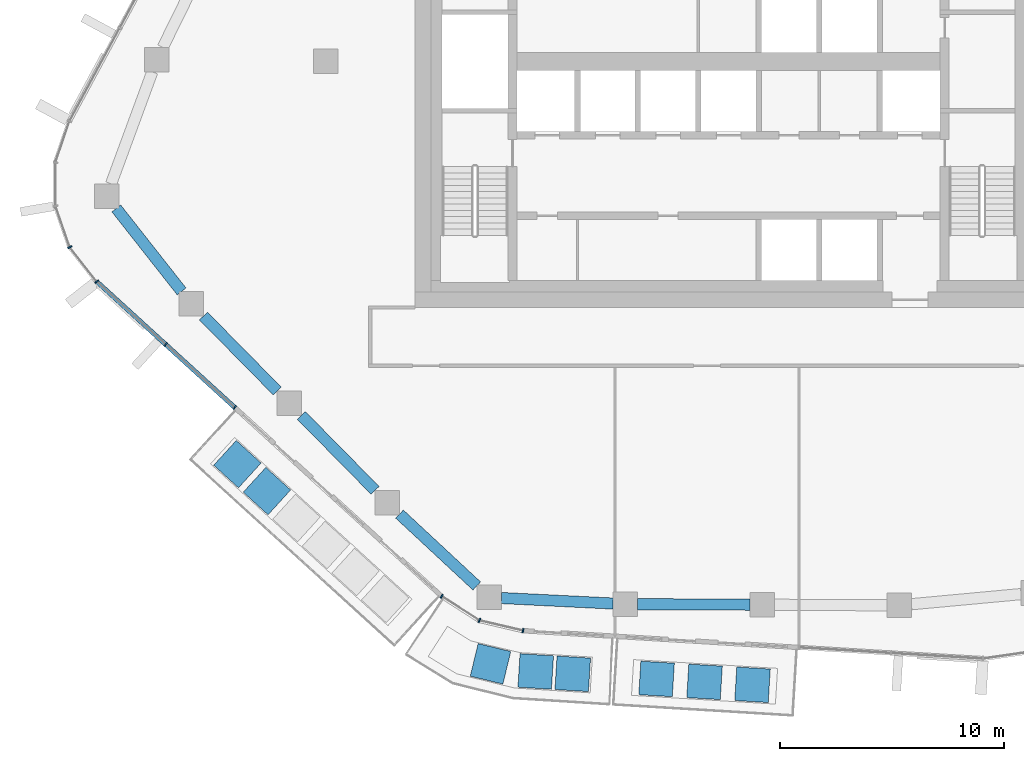
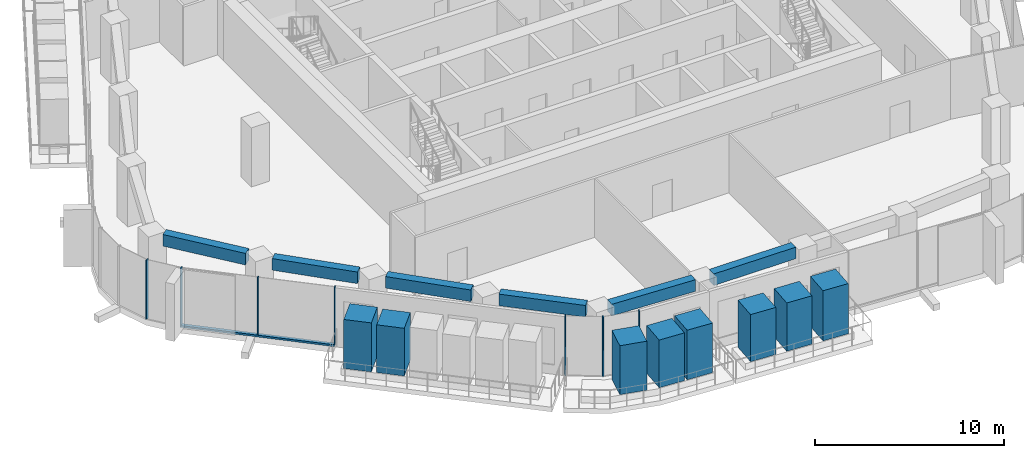
# One storey, part 2 of 20: 16 members, 6 beams, 3 elements without a shape of their own.
"""IFC4 building model written with IfcOpenShell, lengths in metres."""

from ifc_helpers import new_model, si_unit, direction, frame, origin, origin_2d, place, context, subcontext, project, spatial, rectangle, extrude, material, layer, layer_set, material_profile, profile_set, type_object, element, aggregate, save


model = new_model("IFC4")

# Units and contexts
model_context = context("Model", 3, precision=1e-05, world=origin(), true_north=direction((0.0, 1.0)))
body_context = subcontext(model_context, "Body", "Model", "MODEL_VIEW")
ifc_project = project(units=[si_unit("LENGTHUNIT", "METRE"), si_unit("AREAUNIT", "SQUARE_METRE"), si_unit("VOLUMEUNIT", "CUBIC_METRE"), si_unit("PLANEANGLEUNIT", "RADIAN"), si_unit("MASSUNIT", "GRAM", prefix="KILO")], contexts=[model_context])

# Site, building, storey
site_placement = place(None, origin())
site = spatial("IfcSite", under=ifc_project, at=site_placement, CompositionType="ELEMENT")
building_placement = place(site_placement, origin())
building = spatial("IfcBuilding", under=site, at=building_placement, Name="Dongbaek Canopy Tower", CompositionType="ELEMENT")
storey_placement = place(building_placement, frame((0.0, 0.0, 258.0)))
storey = spatial("IfcBuildingStorey", under=building, at=storey_placement, Name="L54", CompositionType="ELEMENT", Elevation=258.0)

# Curtain wall, members
ifc_material_1 = material(Name="Aluminium 6063-T6 pale anodised", Category="aluminium")
ifc_layer = layer(ifc_material_1, 0.199951171875)
ifc_layer_set = layer_set([ifc_layer], Name="CW-1 unitised tower curtain wall")
curtain_wall_type = type_object("IfcCurtainWallType", Name="CW-1 unitised tower curtain wall", PredefinedType="NOTDEFINED", material=ifc_layer_set)
curtain_wall_1_placement = place(storey_placement, origin())
curtain_wall_1 = element("IfcCurtainWall", 1, at=curtain_wall_1_placement, inside=storey, type_object=curtain_wall_type, Name="CW-1 curtain wall K3.1", PredefinedType="NOTDEFINED")
ifc_material_2 = material(Name="Aluminium 6063-T6 pale anodised", Category="aluminium")
ifc_material_profile_1 = material_profile(ifc_material_2, rectangle(XDim=0.199951171875, YDim=0.06005859375, at=origin_2d()), Name="CW-1 mullion 60 x 200")
ifc_profile_set_1 = profile_set([ifc_material_profile_1], Name="Aluminium 6063-T6 pale anodised")
member_type_1 = type_object("IfcMemberType", Name="CW-1 mullion 60 x 200", PredefinedType="MULLION", material=ifc_profile_set_1)
member_1_placement = place(storey_placement, frame((-29.42822265625, -8.302978515625, 0.0), z_axis=(0.0, 0.0, 1.0), x_axis=(-0.877719725714, -0.479174376498, 0.0)))
member_1 = element("IfcMember", 2, at=member_1_placement, type_object=member_type_1, Name="CW-1 mullion K3.1.4", PredefinedType="MULLION", context=body_context, shape_type="SweptSolid", body=[
    extrude(rectangle(XDim=0.199951171875, YDim=0.06005859375, at=origin_2d()), origin(), (0.0, 0.0, 1.0), 3.820068359375),
])
member_2_placement = place(storey_placement, frame((-28.220703125, -9.84130859375, 0.0), z_axis=(0.0, 0.0, 1.0), x_axis=(-0.786588619061, -0.61747740393, 0.0)))
member_2 = element("IfcMember", 3, at=member_2_placement, type_object=member_type_1, Name="CW-1 mullion K3.1.5", PredefinedType="MULLION", context=body_context, shape_type="SweptSolid", body=[
    extrude(rectangle(XDim=0.199951171875, YDim=0.06005859375, at=origin_2d()), origin(), (0.0, 0.0, 1.0), 3.820068359375),
])
aggregate(curtain_wall_1, [member_1, member_2])

curtain_wall_2_placement = place(storey_placement, origin())
curtain_wall_2 = element("IfcCurtainWall", 4, at=curtain_wall_2_placement, inside=storey, type_object=curtain_wall_type, Name="CW-1 curtain wall F3.1", PredefinedType="NOTDEFINED")
member_3_placement = place(storey_placement, frame((-25.142822265625, -12.648681640625, 0.1201171875), z_axis=(0.0, 0.0, 1.0), x_axis=(-0.673879336739, -0.738841417028, 0.0)))
member_3 = element("IfcMember", 5, at=member_3_placement, type_object=member_type_1, Name="CW-1 mullion F3.1.2", PredefinedType="MULLION", context=body_context, shape_type="SweptSolid", body=[
    extrude(rectangle(XDim=0.199951171875, YDim=0.06005859375, at=origin_2d()), origin(), (0.0, 0.0, 1.0), 3.699951171875),
])
member_4_placement = place(storey_placement, frame((-22.058837890625, -15.46142578125, 0.1201171875), z_axis=(0.0, 0.0, 1.0), x_axis=(-0.673879336739, -0.738841417028, 0.0)))
member_4 = element("IfcMember", 6, at=member_4_placement, type_object=member_type_1, Name="CW-1 mullion F3.1.3", PredefinedType="MULLION", context=body_context, shape_type="SweptSolid", body=[
    extrude(rectangle(XDim=0.199951171875, YDim=0.06005859375, at=origin_2d()), origin(), (0.0, 0.0, 1.0), 3.699951171875),
])

curtain_wall_3_placement = place(storey_placement, origin())
curtain_wall_3 = element("IfcCurtainWall", 7, at=curtain_wall_3_placement, inside=storey, type_object=curtain_wall_type, Name="CW-1 curtain wall K4.1", PredefinedType="NOTDEFINED")
member_5_placement = place(storey_placement, frame((-12.81298828125, -23.894287109375, 0.0), z_axis=(0.0, 0.0, 1.0), x_axis=(-0.539447700061, -0.842019108393, 0.0)))
member_5 = element("IfcMember", 8, at=member_5_placement, type_object=member_type_1, Name="CW-1 mullion K4.1.1", PredefinedType="MULLION", context=body_context, shape_type="SweptSolid", body=[
    extrude(rectangle(XDim=0.199951171875, YDim=0.06005859375, at=origin_2d()), origin(), (0.0, 0.0, 1.0), 3.820068359375),
])
member_6_placement = place(storey_placement, frame((-11.12841796875, -24.9736328125, 0.0), z_axis=(0.0, 0.0, 1.0), x_axis=(-0.389524473551, -0.921016115225, 0.0)))
member_6 = element("IfcMember", 9, at=member_6_placement, type_object=member_type_1, Name="CW-1 mullion K4.1.2", PredefinedType="MULLION", context=body_context, shape_type="SweptSolid", body=[
    extrude(rectangle(XDim=0.199951171875, YDim=0.06005859375, at=origin_2d()), origin(), (0.0, 0.0, 1.0), 3.820068359375),
])
member_7_placement = place(storey_placement, frame((-9.1806640625, -25.430419921875, 0.0), z_axis=(0.0, 0.0, 1.0), x_axis=(-0.228415077607, -0.973563840907, 0.0)))
member_7 = element("IfcMember", 10, at=member_7_placement, type_object=member_type_1, Name="CW-1 mullion K4.1.3", PredefinedType="MULLION", context=body_context, shape_type="SweptSolid", body=[
    extrude(rectangle(XDim=0.199951171875, YDim=0.06005859375, at=origin_2d()), origin(), (0.0, 0.0, 1.0), 3.820068359375),
])
aggregate(curtain_wall_3, [member_5, member_6, member_7])

# Member
ifc_material_3 = material(Name="Aluminium 6063-T6 pale anodised", Category="aluminium")
ifc_material_profile_2 = material_profile(ifc_material_3, rectangle(XDim=0.199951171875, YDim=0.1201171875, at=origin_2d()), Name="CW-1 transom 120 x 200")
ifc_profile_set_2 = profile_set([ifc_material_profile_2], Name="Aluminium 6063-T6 pale anodised")
member_type_2 = type_object("IfcMemberType", Name="CW-1 transom 120 x 200", PredefinedType="USERDEFINED", material=ifc_profile_set_2)
member_8_placement = place(storey_placement, frame((-28.220703125, -9.84130859375, 0.06005859375), z_axis=(0.738839664482, -0.673881258226, 0.0), x_axis=(0.673881258226, 0.738839664482, 0.0)))
member_8 = element("IfcMember", 11, at=member_8_placement, type_object=member_type_2, Name="CW-1 transom F3.1.1", ObjectType="TRANSOM", PredefinedType="USERDEFINED", context=body_context, shape_type="SweptSolid", body=[
    extrude(rectangle(XDim=0.199951171875, YDim=0.1201171875, at=origin_2d()), origin(), (0.0, 0.0, 1.0), 8.33984375),
])

aggregate(curtain_wall_2, [member_3, member_4, member_8])

# Beams
ifc_material_4 = material(Name="Concrete C70", Category="concrete")
ifc_material_profile_3 = material_profile(ifc_material_4, rectangle(XDim=0.5, YDim=0.75, at=origin_2d()), Name="RC EDGE BEAM 500x750 C70")
ifc_profile_set_3 = profile_set([ifc_material_profile_3], Name="Concrete C70")
beam_type = type_object("IfcBeamType", Name="RC EDGE BEAM 500x750 C70", PredefinedType="BEAM", material=ifc_profile_set_3)
beam_1_placement = place(storey_placement, frame((0.951904296875, -24.269775390625, 3.445068359375), z_axis=(-0.999990816155, 0.0042857445, 0.0), x_axis=(-0.0042857445, -0.999990816155, 0.0)))
element("IfcBeam", 12, at=beam_1_placement, inside=storey, type_object=beam_type, Name="EDGEBEAM:L54:02", PredefinedType="BEAM", context=body_context, shape_type="SweptSolid", body=[
    extrude(rectangle(XDim=0.5, YDim=0.75, at=origin_2d()), origin(), (0.0, 0.0, 1.0), 5.012939453125),
])
beam_2_placement = place(storey_placement, frame((-5.160888671875, -24.218994140625, 3.445068359375), z_axis=(-0.998786614333, 0.049247325106, 0.0), x_axis=(-0.049247325106, -0.998786614333, 0.0)))
element("IfcBeam", 13, at=beam_2_placement, inside=storey, type_object=beam_type, Name="EDGEBEAM:L54:03", PredefinedType="BEAM", context=body_context, shape_type="SweptSolid", body=[
    extrude(rectangle(XDim=0.5, YDim=0.75, at=origin_2d()), origin(), (0.0, 0.0, 1.0), 4.9921875),
])
beam_3_placement = place(storey_placement, frame((-11.2470703125, -23.434326171875, 3.445068359375), z_axis=(-0.732241423494, 0.681045151014, 0.0), x_axis=(-0.681045151014, -0.732241423494, 0.0)))
element("IfcBeam", 14, at=beam_3_placement, inside=storey, type_object=beam_type, Name="EDGEBEAM:L54:04", PredefinedType="BEAM", context=body_context, shape_type="SweptSolid", body=[
    extrude(rectangle(XDim=0.5, YDim=0.75, at=origin_2d()), origin(), (0.0, 0.0, 1.0), 4.71142578125),
])
beam_4_placement = place(storey_placement, frame((-15.788818359375, -19.1640625, 3.445068359375), z_axis=(-0.701699383964, 0.712473139525, 0.0), x_axis=(-0.712473139525, -0.701699383964, 0.0)))
element("IfcBeam", 15, at=beam_4_placement, inside=storey, type_object=beam_type, Name="EDGEBEAM:L54:05", PredefinedType="BEAM", context=body_context, shape_type="SweptSolid", body=[
    extrude(rectangle(XDim=0.5, YDim=0.75, at=origin_2d()), origin(), (0.0, 0.0, 1.0), 4.690673828125),
])
beam_5_placement = place(storey_placement, frame((-20.16357421875, -14.721923828125, 3.445068359375), z_axis=(-0.701621732034, 0.712549608896, 0.0), x_axis=(-0.712549608896, -0.701621732034, 0.0)))
element("IfcBeam", 16, at=beam_5_placement, inside=storey, type_object=beam_type, Name="EDGEBEAM:L54:06", PredefinedType="BEAM", context=body_context, shape_type="SweptSolid", body=[
    extrude(rectangle(XDim=0.5, YDim=0.75, at=origin_2d()), origin(), (0.0, 0.0, 1.0), 4.691650390625),
])
beam_6_placement = place(storey_placement, frame((-24.429931640625, -10.279052734375, 3.445068359375), z_axis=(-0.618474671525, 0.785804734449, 0.0), x_axis=(-0.785804734449, -0.618474671525, 0.0)))
element("IfcBeam", 17, at=beam_6_placement, inside=storey, type_object=beam_type, Name="EDGEBEAM:L54:07", PredefinedType="BEAM", context=body_context, shape_type="SweptSolid", body=[
    extrude(rectangle(XDim=0.5, YDim=0.75, at=origin_2d()), origin(), (0.0, 0.0, 1.0), 4.719970703125),
])

# Members
ifc_material_5 = material(Name="Concrete C40/50 planter mass with planting", Category="concrete")
ifc_material_profile_4 = material_profile(ifc_material_5, rectangle(XDim=1.5, YDim=1.5, at=origin_2d()), Name="Terrace PLANTER shrub mass 1500 x 1500")
ifc_profile_set_4 = profile_set([ifc_material_profile_4], Name="Concrete C40/50 planter mass with planting")
member_type_3 = type_object("IfcMemberType", Name="Terrace PLANTER shrub mass 1500 x 1500", PredefinedType="USERDEFINED", material=ifc_profile_set_4)
member_9_placement = place(storey_placement, frame((-21.93994140625, -17.99267578125, 0.419921875), z_axis=(0.0, 0.0, 1.0), x_axis=(-0.673879336739, -0.738841417028, 0.0)))
element("IfcMember", 18, at=member_9_placement, inside=storey, type_object=member_type_3, Name="Planter shrubs L54 3.1", ObjectType="PLANTER", PredefinedType="USERDEFINED", context=body_context, shape_type="SweptSolid", body=[
    extrude(rectangle(XDim=1.5, YDim=1.5, at=origin_2d()), origin(), (0.0, 0.0, 1.0), 3.170166015625),
])
member_10_placement = place(storey_placement, frame((-20.61962890625, -19.19677734375, 0.419921875), z_axis=(0.0, 0.0, 1.0), x_axis=(-0.673879336739, -0.738841417028, 0.0)))
element("IfcMember", 19, at=member_10_placement, inside=storey, type_object=member_type_3, Name="Planter shrubs L54 3.2", ObjectType="PLANTER", PredefinedType="USERDEFINED", context=body_context, shape_type="SweptSolid", body=[
    extrude(rectangle(XDim=1.5, YDim=1.5, at=origin_2d()), origin(), (0.0, 0.0, 1.0), 3.090087890625),
])
member_11_placement = place(storey_placement, frame((-3.21630859375, -27.586669921875, 0.419921875), z_axis=(0.0, 0.0, 1.0), x_axis=(-0.060746171441, -0.998153246078, 0.0)))
element("IfcMember", 20, at=member_11_placement, inside=storey, type_object=member_type_3, Name="Planter shrubs L54 4.1", ObjectType="PLANTER", PredefinedType="USERDEFINED", context=body_context, shape_type="SweptSolid", body=[
    extrude(rectangle(XDim=1.5, YDim=1.5, at=origin_2d()), origin(), (0.0, 0.0, 1.0), 3.050048828125),
])
member_12_placement = place(storey_placement, frame((-1.07373046875, -27.71728515625, 0.419921875), z_axis=(0.0, 0.0, 1.0), x_axis=(-0.060746171441, -0.998153246078, 0.0)))
element("IfcMember", 21, at=member_12_placement, inside=storey, type_object=member_type_3, Name="Planter shrubs L54 4.2", ObjectType="PLANTER", PredefinedType="USERDEFINED", context=body_context, shape_type="SweptSolid", body=[
    extrude(rectangle(XDim=1.5, YDim=1.5, at=origin_2d()), origin(), (0.0, 0.0, 1.0), 3.130126953125),
])
member_13_placement = place(storey_placement, frame((1.06884765625, -27.84765625, 0.419921875), z_axis=(0.0, 0.0, 1.0), x_axis=(-0.060746171441, -0.998153246078, 0.0)))
element("IfcMember", 22, at=member_13_placement, inside=storey, type_object=member_type_3, Name="Planter shrubs L54 4.3", ObjectType="PLANTER", PredefinedType="USERDEFINED", context=body_context, shape_type="SweptSolid", body=[
    extrude(rectangle(XDim=1.5, YDim=1.5, at=origin_2d()), origin(), (0.0, 0.0, 1.0), 3.25),
])
member_14_placement = place(storey_placement, frame((-10.63330078125, -26.91259765625, 0.419921875), z_axis=(0.0, 0.0, 1.0), x_axis=(-0.235622231072, -0.971844722281, 0.0)))
element("IfcMember", 23, at=member_14_placement, inside=storey, type_object=member_type_3, Name="Planter shrubs L54 7.1", ObjectType="PLANTER", PredefinedType="USERDEFINED", context=body_context, shape_type="SweptSolid", body=[
    extrude(rectangle(XDim=1.5, YDim=1.5, at=origin_2d()), origin(), (0.0, 0.0, 1.0), 3.170166015625),
])
member_15_placement = place(storey_placement, frame((-8.614013671875, -27.253662109375, 0.419921875), z_axis=(0.0, 0.0, 1.0), x_axis=(-0.062577164693, -0.998040128682, 0.0)))
element("IfcMember", 24, at=member_15_placement, inside=storey, type_object=member_type_3, Name="Planter shrubs L54 7.2", ObjectType="PLANTER", PredefinedType="USERDEFINED", context=body_context, shape_type="SweptSolid", body=[
    extrude(rectangle(XDim=1.5, YDim=1.5, at=origin_2d()), origin(), (0.0, 0.0, 1.0), 3.090087890625),
])
member_16_placement = place(storey_placement, frame((-6.960693359375, -27.357421875, 0.419921875), z_axis=(0.0, 0.0, 1.0), x_axis=(-0.062577164693, -0.998040128682, 0.0)))
element("IfcMember", 25, at=member_16_placement, inside=storey, type_object=member_type_3, Name="Planter shrubs L54 7.3", ObjectType="PLANTER", PredefinedType="USERDEFINED", context=body_context, shape_type="SweptSolid", body=[
    extrude(rectangle(XDim=1.5, YDim=1.5, at=origin_2d()), origin(), (0.0, 0.0, 1.0), 3.2099609375),
])

save(model, "model.ifc")
